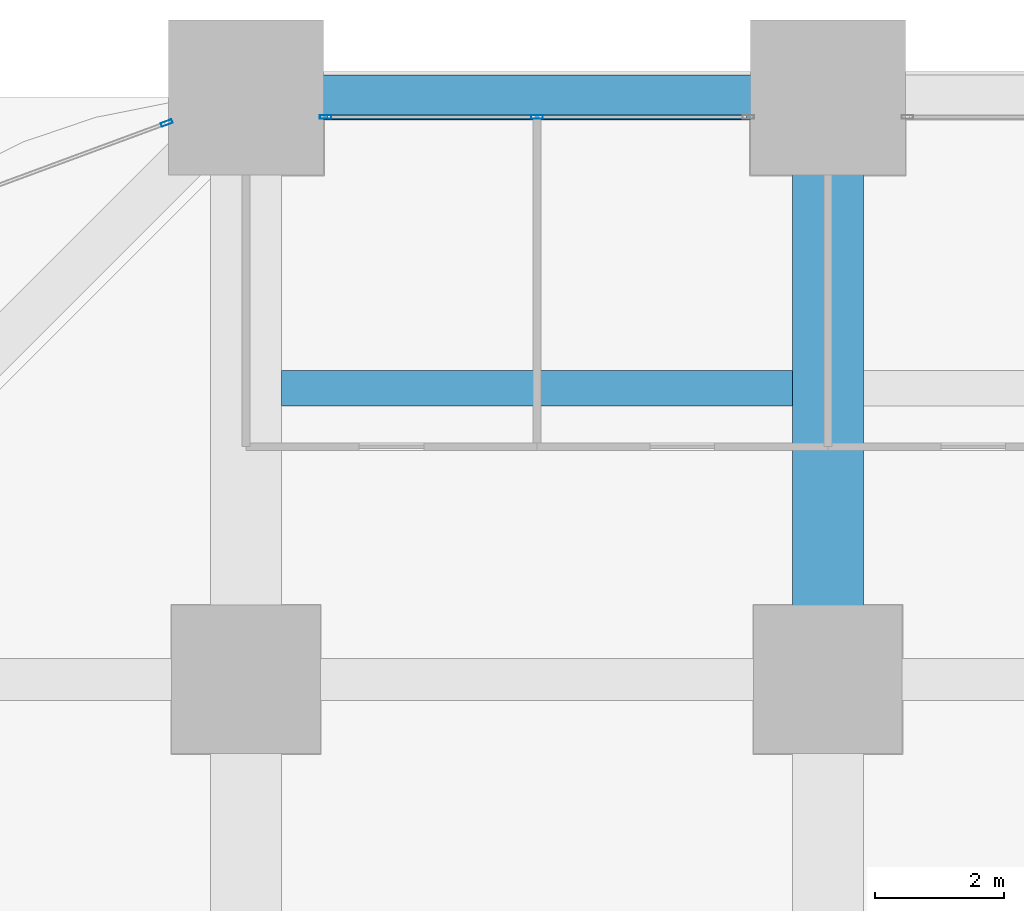
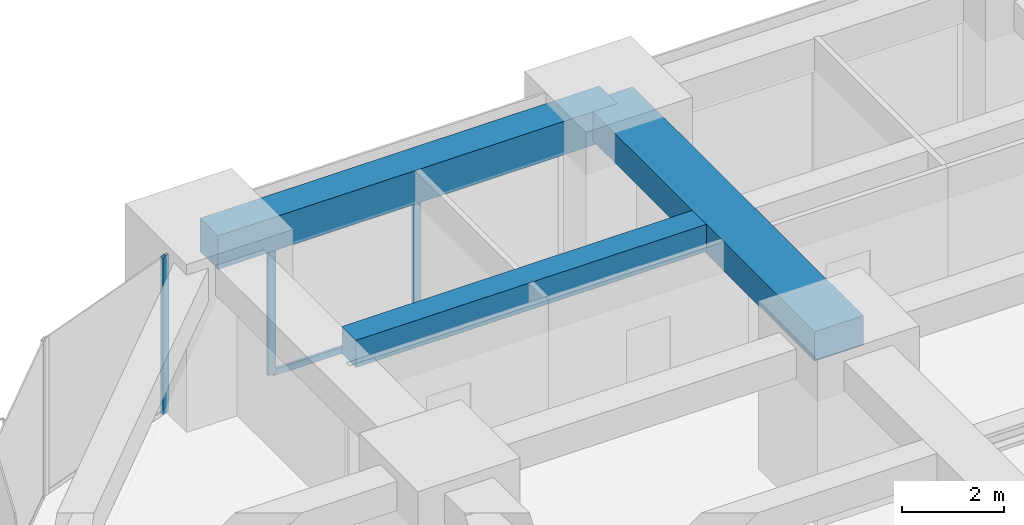
# One storey, part 18 of 38: 4 members, 3 beams, 2 elements without a shape of their own.
"""IFC4 building model written with IfcOpenShell, lengths in metres."""

from ifc_helpers import new_model, si_unit, direction, frame, origin, origin_2d, place, context, subcontext, project, spatial, rectangle, hollow_rectangle, extrude, material, material_profile, profile_set, type_object, element, aggregate, save


model = new_model("IFC4")

# Units and contexts
model_context = context("Model", 3, precision=1e-05, world=origin(), true_north=direction((0.0, 1.0)))
body_context = subcontext(model_context, "Body", "Model", "MODEL_VIEW")
ifc_project = project(units=[si_unit("LENGTHUNIT", "METRE"), si_unit("AREAUNIT", "SQUARE_METRE"), si_unit("VOLUMEUNIT", "CUBIC_METRE"), si_unit("PLANEANGLEUNIT", "RADIAN"), si_unit("MASSUNIT", "GRAM", prefix="KILO")], contexts=[model_context])

# Site, building, storey
site_placement = place(None, origin())
site = spatial("IfcSite", under=ifc_project, at=site_placement, CompositionType="ELEMENT")
building_placement = place(site_placement, origin())
building = spatial("IfcBuilding", under=site, at=building_placement, Name="Zorevar Civic Tower", CompositionType="ELEMENT")
storey_placement = place(building_placement, frame((0.0, 0.0, 15.800048828125)))
storey = spatial("IfcBuildingStorey", under=building, at=storey_placement, Name="L03", CompositionType="ELEMENT", Elevation=15.800048828125)

# Beams
ifc_material_1 = material(Name="Concrete C50/60", Category="concrete")
ifc_material_profile_1 = material_profile(ifc_material_1, rectangle(XDim=1.10009765625, YDim=0.699951171875, at=origin_2d()), Name="RC 1100x700")
ifc_profile_set_1 = profile_set([ifc_material_profile_1], Name="Concrete C50/60")
beam_type_1 = type_object("IfcBeamType", Name="Beam RC 1100x700", PredefinedType="BEAM", material=ifc_profile_set_1)
beam_1_placement = place(storey_placement, frame((18.0, 45.0, 3.39990234375), z_axis=(0.0, 1.0, 0.0), x_axis=(-1.0, 0.0, 0.0)))
element("IfcBeam", 1, at=beam_1_placement, inside=storey, type_object=beam_type_1, Name="Girder L04", PredefinedType="BEAM", context=body_context, shape_type="SweptSolid", body=[
    extrude(rectangle(XDim=1.10009765625, YDim=0.699951171875, at=origin_2d()), origin(), (0.0, 0.0, 1.0), 9.0),
])
ifc_material_2 = material(Name="Concrete C50/60", Category="concrete")
ifc_material_profile_2 = material_profile(ifc_material_2, rectangle(XDim=0.550048828125, YDim=0.64990234375, at=origin_2d()), Name="RC 550x650")
ifc_profile_set_2 = profile_set([ifc_material_profile_2], Name="Concrete C50/60")
beam_type_2 = type_object("IfcBeamType", Name="Beam RC 550x650", PredefinedType="BEAM", material=ifc_profile_set_2)
beam_2_placement = place(storey_placement, frame((9.550048828125, 49.5, 3.425048828125), z_axis=(1.0, 0.0, 0.0), x_axis=(0.0, 1.0, 0.0)))
element("IfcBeam", 2, at=beam_2_placement, inside=storey, type_object=beam_type_2, Name="Secondary beam L04", PredefinedType="BEAM", context=body_context, shape_type="SweptSolid", body=[
    extrude(rectangle(XDim=0.550048828125, YDim=0.64990234375, at=origin_2d()), origin(), (0.0, 0.0, 1.0), 7.89990234375),
])

# Curtain wall, members
ifc_material_3 = material(Name="Dark grey solar-control glass in black aluminium frame", Category="aluminium")
curtain_wall_type = type_object("IfcCurtainWallType", Name="Curtain wall CW2 low zone", PredefinedType="NOTDEFINED", material=ifc_material_3)
curtain_wall_1_placement = place(storey_placement, origin())
curtain_wall_1 = element("IfcCurtainWall", 3, at=curtain_wall_1_placement, inside=storey, type_object=curtain_wall_type, Name="CW2 L03", PredefinedType="NOTDEFINED")
ifc_material_4 = material(Name="Aluminium, black anodised", Category="aluminium")
ifc_material_profile_3 = material_profile(ifc_material_4, hollow_rectangle(XDim=0.06005859375, YDim=0.179931640625, WallThickness=0.00390625, at=origin_2d()), Name="AL 180x60x4")
ifc_profile_set_3 = profile_set([ifc_material_profile_3], Name="Aluminium, black anodised")
member_type_1 = type_object("IfcMemberType", Name="CW2 mullion AL 180x60x4", PredefinedType="MULLION", material=ifc_profile_set_3)
member_1_placement = place(storey_placement, frame((10.22998046875, 53.699951171875, 0.0), z_axis=(0.0, 0.0, 1.0), x_axis=(0.0, 1.0, 0.0)))
member_1 = element("IfcMember", 4, at=member_1_placement, type_object=member_type_1, Name="CW2 mullion 1", PredefinedType="MULLION", context=body_context, shape_type="SweptSolid", body=[
    extrude(hollow_rectangle(XDim=0.06005859375, YDim=0.179931640625, WallThickness=0.00390625, at=origin_2d()), origin(), (0.0, 0.0, 1.0), 2.949951171875),
])
member_2_placement = place(storey_placement, frame((13.5, 53.699951171875, 0.06005859375), z_axis=(0.0, 0.0, 1.0), x_axis=(0.0, 1.0, 0.0)))
member_2 = element("IfcMember", 5, at=member_2_placement, type_object=member_type_1, Name="CW2 mullion 2", PredefinedType="MULLION", context=body_context, shape_type="SweptSolid", body=[
    extrude(hollow_rectangle(XDim=0.06005859375, YDim=0.179931640625, WallThickness=0.00390625, at=origin_2d()), origin(), (0.0, 0.0, 1.0), 2.889892578125),
])

# Curtain wall, member
curtain_wall_2_placement = place(storey_placement, origin())
curtain_wall_2 = element("IfcCurtainWall", 6, at=curtain_wall_2_placement, inside=storey, type_object=curtain_wall_type, Name="CW2 L03", PredefinedType="NOTDEFINED")
member_3_placement = place(storey_placement, frame((7.77197265625, 53.6064453125, 0.0), z_axis=(0.0, 0.0, 1.0), x_axis=(0.346704012033, -0.937974588163, 0.0)))
member_3 = element("IfcMember", 7, at=member_3_placement, type_object=member_type_1, Name="CW2 mullion 1", PredefinedType="MULLION", context=body_context, shape_type="SweptSolid", body=[
    extrude(hollow_rectangle(XDim=0.06005859375, YDim=0.179931640625, WallThickness=0.00390625, at=origin_2d()), origin(), (0.0, 0.0, 1.0), 3.75),
])
aggregate(curtain_wall_2, [member_3])

# Member
ifc_material_5 = material(Name="Aluminium, black anodised", Category="aluminium")
ifc_material_profile_4 = material_profile(ifc_material_5, hollow_rectangle(XDim=0.06005859375, YDim=0.14990234375, WallThickness=0.00390625, at=origin_2d()), Name="AL 150x60x4")
ifc_profile_set_4 = profile_set([ifc_material_profile_4], Name="Aluminium, black anodised")
member_type_2 = type_object("IfcMemberType", Name="CW2 transom AL 150x60x4", PredefinedType="USERDEFINED", material=ifc_profile_set_4)
member_4_placement = place(storey_placement, frame((10.260009765625, 53.699951171875, 0.030029296875), z_axis=(1.0, 0.0, 0.0), x_axis=(0.0, 1.0, 0.0)))
member_4 = element("IfcMember", 8, at=member_4_placement, type_object=member_type_2, Name="CW2 sill transom", ObjectType="TRANSOM", PredefinedType="USERDEFINED", context=body_context, shape_type="SweptSolid", body=[
    extrude(hollow_rectangle(XDim=0.06005859375, YDim=0.14990234375, WallThickness=0.00390625, at=origin_2d()), origin(), (0.0, 0.0, 1.0), 6.47998046875),
])

aggregate(curtain_wall_1, [member_1, member_2, member_4])

# Beam
ifc_material_6 = material(Name="Concrete C50/60", Category="concrete")
ifc_material_profile_5 = material_profile(ifc_material_6, rectangle(XDim=0.699951171875, YDim=0.800048828125, at=origin_2d()), Name="RC 700x800")
ifc_profile_set_5 = profile_set([ifc_material_profile_5], Name="Concrete C50/60")
beam_type_3 = type_object("IfcBeamType", Name="Edge beam RC 700x800", PredefinedType="SPANDREL", material=ifc_profile_set_5)
beam_3_placement = place(storey_placement, frame((9.0, 54.0, 3.349853515625), z_axis=(1.0, 0.0, 0.0), x_axis=(0.0, 1.0, 0.0)))
element("IfcBeam", 9, at=beam_3_placement, inside=storey, type_object=beam_type_3, Name="Edge beam L04", PredefinedType="SPANDREL", context=body_context, shape_type="SweptSolid", body=[
    extrude(rectangle(XDim=0.699951171875, YDim=0.800048828125, at=origin_2d()), origin(), (0.0, 0.0, 1.0), 9.0),
])

save(model, "model.ifc")
